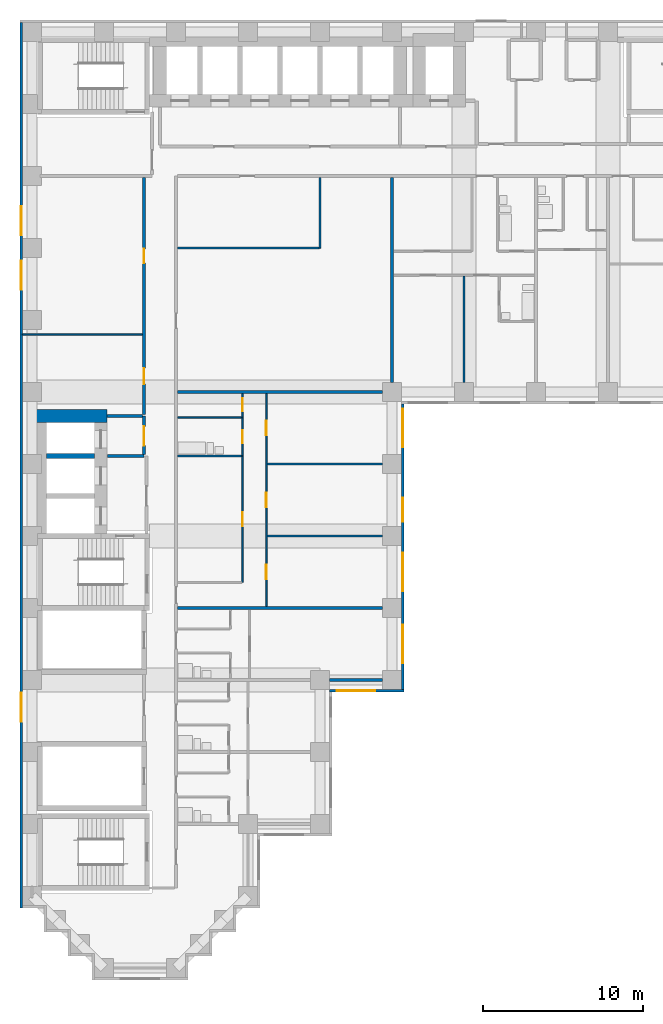
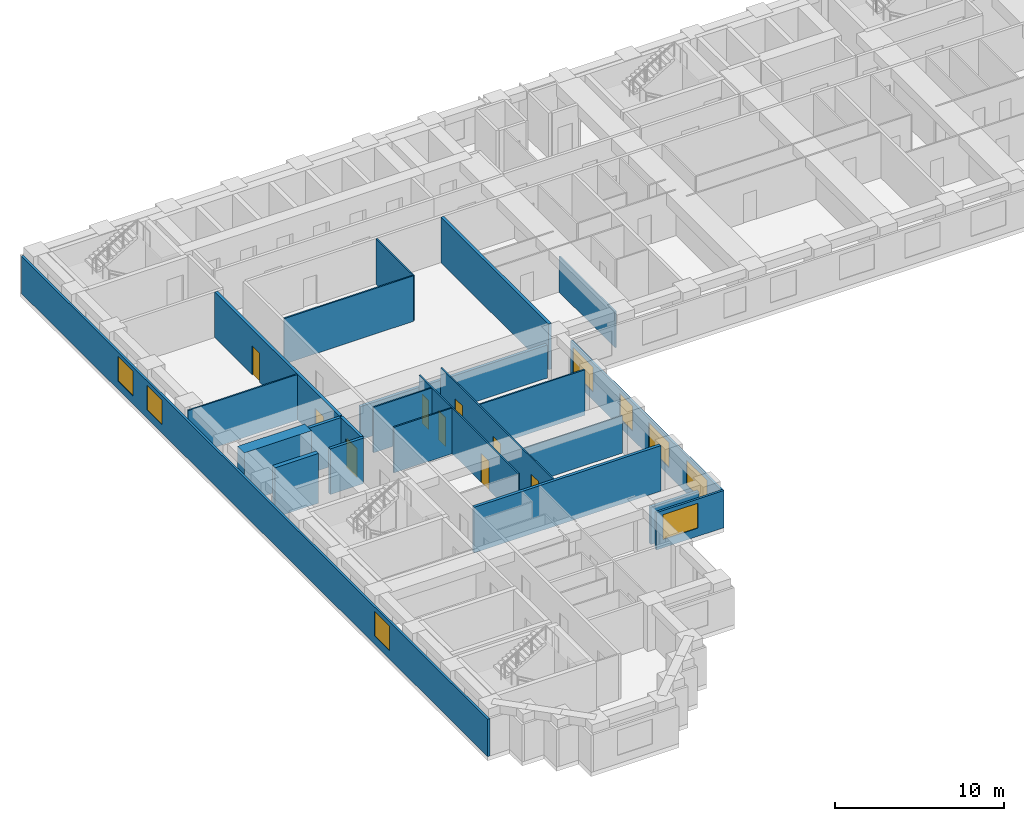
# One storey, part 4 of 11: 23 walls, 9 doors, 8 windows, 17 openings.
"""IFC4 building model written with IfcOpenShell, lengths in metres."""

from ifc_helpers import new_model, si_unit, direction, frame, frame_2d, origin, place, context, subcontext, project, spatial, rectangle, extrude, material, layer, layer_set, type_object, element, fill, save


model = new_model("IFC4")

# Units and contexts
model_context = context("Model", 3, precision=1e-05, world=origin(), true_north=direction((0.0, 1.0)))
body_context = subcontext(model_context, "Body", "Model", "MODEL_VIEW")
ifc_project = project(units=[si_unit("LENGTHUNIT", "METRE"), si_unit("AREAUNIT", "SQUARE_METRE"), si_unit("VOLUMEUNIT", "CUBIC_METRE"), si_unit("PLANEANGLEUNIT", "RADIAN"), si_unit("MASSUNIT", "GRAM", prefix="KILO")], contexts=[model_context])

# Site, building, storey
site_placement = place(None, origin())
site = spatial("IfcSite", under=ifc_project, at=site_placement, CompositionType="ELEMENT")
building_placement = place(site_placement, origin())
building = spatial("IfcBuilding", under=site, at=building_placement, Name="Firuza Court", CompositionType="ELEMENT")
storey_placement = place(building_placement, frame((0.0, 0.0, 75.800048828125)))
storey = spatial("IfcBuildingStorey", under=building, at=storey_placement, Name="L18", CompositionType="ELEMENT", Elevation=75.800048828125)

# Walls
ifc_material_1 = material(Name="Moisture-resistant gypsum board partition")
ifc_layer_1 = layer(ifc_material_1, 0.10009765625)
ifc_layer_set_1 = layer_set([ifc_layer_1], Name="Moisture-resistant gypsum board partition")
wall_type_1 = type_object("IfcWallType", Name="Bathroom partition 100", PredefinedType="PLUMBINGWALL", material=ifc_layer_set_1)
for number, where, z_axis, x_axis, name in (
    (1, (9.10009765625, 32.0, 0.0), (0.0, 0.0, 1.0), (1.0, 0.0, 0.0), "Bathroom partition 100 L18"),
    (2, (9.10009765625, 34.39990234375, 0.0), (0.0, 0.0, 1.0), (1.0, 0.0, 0.0), "Bathroom partition 100 L18"),
):
    element("IfcWall", number, at=place(storey_placement, frame(where, z_axis=z_axis, x_axis=x_axis)), inside=storey, type_object=wall_type_1, Name=name, PredefinedType="PLUMBINGWALL", context=body_context, shape_type="SweptSolid", body=[
        extrude(rectangle(XDim=4.0, YDim=0.10009765625, at=frame_2d((2.0, 0.0))), origin(), (0.0, 0.0, 1.0), 3.300048828125),
    ])
ifc_material_2 = material(Name="Concrete C60/75", Category="concrete")
ifc_layer_2 = layer(ifc_material_2, 0.300048828125)
ifc_layer_set_2 = layer_set([ifc_layer_2], Name="Concrete C60/75")
wall_type_2 = type_object("IfcWallType", Name="Core wall 300 C60/75", PredefinedType="SHEAR", material=ifc_layer_set_2)
wall_1_placement = place(storey_placement, frame((0.89990234375, 32.0, -0.300048828125), z_axis=(0.0, 0.0, 1.0), x_axis=(1.0, 0.0, 0.0)))
element("IfcWall", 3, at=wall_1_placement, inside=storey, type_object=wall_type_2, Name="Core wall lift shaft L18", PredefinedType="SHEAR", context=body_context, shape_type="SweptSolid", body=[
    extrude(rectangle(XDim=3.0, YDim=0.300048828125, at=frame_2d((1.5, 0.0))), origin(), (0.0, 0.0, 1.0), 3.60009765625),
])
ifc_layer_3 = layer(ifc_material_2, 0.800048828125)
ifc_layer_set_3 = layer_set([ifc_layer_3], Name="Concrete C60/75")
wall_type_3 = type_object("IfcWallType", Name="Core wall 800 C60/75", PredefinedType="SHEAR", material=ifc_layer_set_3)
wall_2_placement = place(storey_placement, frame((0.10009765625, 34.5, -0.300048828125), z_axis=(0.0, 0.0, 1.0), x_axis=(1.0, 0.0, 0.0)))
element("IfcWall", 4, at=wall_2_placement, inside=storey, type_object=wall_type_3, Name="Core wall lift shaft L18", PredefinedType="SHEAR", context=body_context, shape_type="SweptSolid", body=[
    extrude(rectangle(XDim=4.599853515625, YDim=0.800048828125, at=frame_2d((2.2998046875, 0.0))), origin(), (0.0, 0.0, 1.0), 3.60009765625),
])

# Wall, openings, doors
ifc_material_3 = material(Name="Blockwork, plastered both sides", Category="masonry")
ifc_layer_4 = layer(ifc_material_3, 0.199951171875)
ifc_layer_set_4 = layer_set([ifc_layer_4], Name="Blockwork, plastered both sides")
wall_type_4 = type_object("IfcWallType", Name="Corridor wall 200", PredefinedType="PARTITIONING", material=ifc_layer_set_4)
wall_3_placement = place(storey_placement, frame((7.0, 34.60009765625, 0.0), z_axis=(0.0, 0.0, 1.0), x_axis=(0.0, 1.0, 0.0)))
wall_3 = element("IfcWall", 5, at=wall_3_placement, inside=storey, type_object=wall_type_4, Name="Corridor wall 200 L18", PredefinedType="PARTITIONING", context=body_context, shape_type="SweptSolid", body=[
    extrude(rectangle(XDim=14.7998046875, YDim=0.199951171875, at=frame_2d((7.39990234375, 0.0))), origin(), (0.0, 0.0, 1.0), 3.300048828125),
])
opening_1_placement = place(wall_3_placement, frame((1.89990234375, 0.0, 0.0)))
opening_1 = element("IfcOpeningElement", 6, at=opening_1_placement, cuts=wall_3, Name="Opening D18041", PredefinedType="OPENING", context=body_context, shape_type="SweptSolid", body=[
    extrude(rectangle(XDim=1.0, YDim=2.10009765625, at=frame_2d((0.5, 1.050048828125))), frame((0.0, 0.11181640625, 0.0), z_axis=(0.0, -1.0, 0.0), x_axis=(1.0, 0.0, 0.0)), (0.0, 0.0, 1.0), 0.223876953125),
])
opening_2_placement = place(wall_3_placement, frame((9.449951171875, 0.0, 0.0)))
opening_2 = element("IfcOpeningElement", 7, at=opening_2_placement, cuts=wall_3, Name="Opening D18042", PredefinedType="OPENING", context=body_context, shape_type="SweptSolid", body=[
    extrude(rectangle(XDim=0.89990234375, YDim=2.10009765625, at=frame_2d((0.449951171875, 1.050048828125))), frame((0.0, 0.11181640625, 0.0), z_axis=(0.0, -1.0, 0.0), x_axis=(1.0, 0.0, 0.0)), (0.0, 0.0, 1.0), 0.223876953125),
])
ifc_material_4 = material(Name="Timber door leaf in hardwood frame", Category="wood")
door_type_1 = type_object("IfcDoorType", Name="Room door 900 EI 30", OperationType="SINGLE_SWING_LEFT", PredefinedType="DOOR", material=ifc_material_4)
door_1_placement = place(opening_2_placement, origin())
door_1 = element("IfcDoor", 8, at=door_1_placement, inside=storey, type_object=door_type_1, Name="Residents' workroom door", OperationType="SINGLE_SWING_RIGHT", OverallHeight=2.10009765625, OverallWidth=0.89990234375, PredefinedType="DOOR", context=body_context, shape_type="SweptSolid", body=[
    extrude(rectangle(XDim=0.89990234375, YDim=2.10009765625, at=frame_2d((0.449951171875, 1.050048828125))), frame((0.0, 0.02490234375, 0.0), z_axis=(0.0, -1.0, 0.0), x_axis=(1.0, 0.0, 0.0)), (0.0, 0.0, 1.0), 0.050048828125),
])
fill(opening_2, door_1)
ifc_material_5 = material(Name="Timber door leaf in hardwood frame", Category="wood")
door_type_2 = type_object("IfcDoorType", Name="Store door 1000", OperationType="SINGLE_SWING_LEFT", PredefinedType="DOOR", material=ifc_material_5)
door_2_placement = place(opening_1_placement, origin())
door_2 = element("IfcDoor", 9, at=door_2_placement, inside=storey, type_object=door_type_2, Name="Valet store door", OperationType="SINGLE_SWING_LEFT", OverallHeight=2.10009765625, OverallWidth=1.0, PredefinedType="DOOR", context=body_context, shape_type="SweptSolid", body=[
    extrude(rectangle(XDim=1.0, YDim=2.10009765625, at=frame_2d((0.5, 1.050048828125))), frame((0.0, 0.02490234375, 0.0), z_axis=(0.0, -1.0, 0.0), x_axis=(1.0, 0.0, 0.0)), (0.0, 0.0, 1.0), 0.050048828125),
])
fill(opening_1, door_2)

ifc_material_6 = material(Name="Timber stud partition, plasterboard both sides", Category="wood")
ifc_layer_5 = layer(ifc_material_6, 0.10009765625)
ifc_layer_set_5 = layer_set([ifc_layer_5], Name="Timber stud partition, plasterboard both sides")
wall_type_5 = type_object("IfcWallType", Name="Partition wall 100", PredefinedType="PARTITIONING", material=ifc_layer_set_5)
wall_4_placement = place(storey_placement, frame((14.64990234375, 22.60009765625, 0.0), z_axis=(0.0, 0.0, 1.0), x_axis=(0.0, 1.0, 0.0)))
wall_4 = element("IfcWall", 10, at=wall_4_placement, inside=storey, type_object=wall_type_5, Name="Partition wall 100 L18", PredefinedType="PARTITIONING", context=body_context, shape_type="SweptSolid", body=[
    extrude(rectangle(XDim=13.2998046875, YDim=0.10009765625, at=frame_2d((6.64990234375, 0.0))), origin(), (0.0, 0.0, 1.0), 3.300048828125),
])
opening_3_placement = place(wall_4_placement, frame((1.699951171875, 0.0, 0.0)))
opening_3 = element("IfcOpeningElement", 11, at=opening_3_placement, cuts=wall_4, Name="Opening D18035", PredefinedType="OPENING", context=body_context, shape_type="SweptSolid", body=[
    extrude(rectangle(XDim=0.89990234375, YDim=2.10009765625, at=frame_2d((0.449951171875, 1.050048828125))), frame((0.0, 0.06201171875, 0.0), z_axis=(0.0, -1.0, 0.0), x_axis=(1.0, 0.0, 0.0)), (0.0, 0.0, 1.0), 0.1240234375),
])
opening_4_placement = place(wall_4_placement, frame((6.199951171875, 0.0, 0.0)))
opening_4 = element("IfcOpeningElement", 12, at=opening_4_placement, cuts=wall_4, Name="Opening D18036", PredefinedType="OPENING", context=body_context, shape_type="SweptSolid", body=[
    extrude(rectangle(XDim=0.89990234375, YDim=2.10009765625, at=frame_2d((0.449951171875, 1.050048828125))), frame((0.0, 0.06201171875, 0.0), z_axis=(0.0, -1.0, 0.0), x_axis=(1.0, 0.0, 0.0)), (0.0, 0.0, 1.0), 0.1240234375),
])
opening_5_placement = place(wall_4_placement, frame((10.699951171875, 0.0, 0.0)))
opening_5 = element("IfcOpeningElement", 13, at=opening_5_placement, cuts=wall_4, Name="Opening D18037", PredefinedType="OPENING", context=body_context, shape_type="SweptSolid", body=[
    extrude(rectangle(XDim=0.89990234375, YDim=2.10009765625, at=frame_2d((0.449951171875, 1.050048828125))), frame((0.0, 0.06201171875, 0.0), z_axis=(0.0, -1.0, 0.0), x_axis=(1.0, 0.0, 0.0)), (0.0, 0.0, 1.0), 0.1240234375),
])
ifc_material_7 = material(Name="Timber door leaf in hardwood frame", Category="wood")
door_type_3 = type_object("IfcDoorType", Name="Room door 900", OperationType="SINGLE_SWING_LEFT", PredefinedType="DOOR", material=ifc_material_7)
door_3_placement = place(opening_3_placement, frame((0.89990234375, 0.0, 0.0), z_axis=(0.0, 0.0, 1.0), x_axis=(-1.0, 0.0, 0.0)))
door_3 = element("IfcDoor", 14, at=door_3_placement, inside=storey, type_object=door_type_3, Name="Living room door", OperationType="SINGLE_SWING_RIGHT", OverallHeight=2.10009765625, OverallWidth=0.89990234375, PredefinedType="DOOR", context=body_context, shape_type="SweptSolid", body=[
    extrude(rectangle(XDim=0.89990234375, YDim=2.10009765625, at=frame_2d((0.449951171875, 1.050048828125))), frame((0.0, 0.02490234375, 0.0), z_axis=(0.0, -1.0, 0.0), x_axis=(1.0, 0.0, 0.0)), (0.0, 0.0, 1.0), 0.050048828125),
])
fill(opening_3, door_3)
door_4_placement = place(opening_4_placement, frame((0.89990234375, 0.0, 0.0), z_axis=(0.0, 0.0, 1.0), x_axis=(-1.0, 0.0, 0.0)))
door_4 = element("IfcDoor", 15, at=door_4_placement, inside=storey, type_object=door_type_3, Name="Bedroom door", OperationType="SINGLE_SWING_RIGHT", OverallHeight=2.10009765625, OverallWidth=0.89990234375, PredefinedType="DOOR", context=body_context, shape_type="SweptSolid", body=[
    extrude(rectangle(XDim=0.89990234375, YDim=2.10009765625, at=frame_2d((0.449951171875, 1.050048828125))), frame((0.0, 0.02490234375, 0.0), z_axis=(0.0, -1.0, 0.0), x_axis=(1.0, 0.0, 0.0)), (0.0, 0.0, 1.0), 0.050048828125),
])
fill(opening_4, door_4)
door_5_placement = place(opening_5_placement, frame((0.89990234375, 0.0, 0.0), z_axis=(0.0, 0.0, 1.0), x_axis=(-1.0, 0.0, 0.0)))
door_5 = element("IfcDoor", 16, at=door_5_placement, inside=storey, type_object=door_type_3, Name="Bedroom door", OperationType="SINGLE_SWING_RIGHT", OverallHeight=2.10009765625, OverallWidth=0.89990234375, PredefinedType="DOOR", context=body_context, shape_type="SweptSolid", body=[
    extrude(rectangle(XDim=0.89990234375, YDim=2.10009765625, at=frame_2d((0.449951171875, 1.050048828125))), frame((0.0, 0.02490234375, 0.0), z_axis=(0.0, -1.0, 0.0), x_axis=(1.0, 0.0, 0.0)), (0.0, 0.0, 1.0), 0.050048828125),
])
fill(opening_5, door_5)

wall_5_placement = place(storey_placement, frame((13.14990234375, 24.10009765625, 0.0), z_axis=(0.0, 0.0, 1.0), x_axis=(0.0, 1.0, 0.0)))
wall_5 = element("IfcWall", 17, at=wall_5_placement, inside=storey, type_object=wall_type_5, Name="Partition wall 100 L18", PredefinedType="PARTITIONING", context=body_context, shape_type="SweptSolid", body=[
    extrude(rectangle(XDim=11.7998046875, YDim=0.10009765625, at=frame_2d((5.89990234375, 0.0))), origin(), (0.0, 0.0, 1.0), 3.300048828125),
])
opening_6_placement = place(wall_5_placement, frame((8.699951171875, 0.0, 0.0)))
opening_6 = element("IfcOpeningElement", 18, at=opening_6_placement, cuts=wall_5, Name="Opening D18038", PredefinedType="OPENING", context=body_context, shape_type="SweptSolid", body=[
    extrude(rectangle(XDim=0.800048828125, YDim=2.10009765625, at=frame_2d((0.39990234375, 1.050048828125))), frame((0.0, 0.06201171875, 0.0), z_axis=(0.0, -1.0, 0.0), x_axis=(1.0, 0.0, 0.0)), (0.0, 0.0, 1.0), 0.1240234375),
])
opening_7_placement = place(wall_5_placement, frame((3.5, 0.0, 0.0)))
opening_7 = element("IfcOpeningElement", 19, at=opening_7_placement, cuts=wall_5, Name="Opening D18039", PredefinedType="OPENING", context=body_context, shape_type="SweptSolid", body=[
    extrude(rectangle(XDim=0.89990234375, YDim=2.10009765625, at=frame_2d((0.449951171875, 1.050048828125))), frame((0.0, 0.06201171875, 0.0), z_axis=(0.0, -1.0, 0.0), x_axis=(1.0, 0.0, 0.0)), (0.0, 0.0, 1.0), 0.1240234375),
])
opening_8_placement = place(wall_5_placement, frame((10.699951171875, 0.0, 0.0)))
opening_8 = element("IfcOpeningElement", 20, at=opening_8_placement, cuts=wall_5, Name="Opening D18040", PredefinedType="OPENING", context=body_context, shape_type="SweptSolid", body=[
    extrude(rectangle(XDim=0.800048828125, YDim=2.10009765625, at=frame_2d((0.39990234375, 1.050048828125))), frame((0.0, 0.06201171875, 0.0), z_axis=(0.0, -1.0, 0.0), x_axis=(1.0, 0.0, 0.0)), (0.0, 0.0, 1.0), 0.1240234375),
])
ifc_material_8 = material(Name="Timber door leaf in hardwood frame", Category="wood")
door_type_4 = type_object("IfcDoorType", Name="Bathroom door 800", OperationType="SINGLE_SWING_LEFT", PredefinedType="DOOR", material=ifc_material_8)
door_6_placement = place(opening_6_placement, origin())
door_6 = element("IfcDoor", 21, at=door_6_placement, inside=storey, type_object=door_type_4, Name="Bathroom door", OperationType="SINGLE_SWING_LEFT", OverallHeight=2.10009765625, OverallWidth=0.800048828125, PredefinedType="DOOR", context=body_context, shape_type="SweptSolid", body=[
    extrude(rectangle(XDim=0.800048828125, YDim=2.10009765625, at=frame_2d((0.39990234375, 1.050048828125))), frame((0.0, 0.02490234375, 0.0), z_axis=(0.0, -1.0, 0.0), x_axis=(1.0, 0.0, 0.0)), (0.0, 0.0, 1.0), 0.050048828125),
])
fill(opening_6, door_6)
ifc_material_9 = material(Name="Timber door leaf in hardwood frame", Category="wood")
door_type_5 = type_object("IfcDoorType", Name="Room door 800", OperationType="SINGLE_SWING_LEFT", PredefinedType="DOOR", material=ifc_material_9)
door_7_placement = place(opening_8_placement, origin())
door_7 = element("IfcDoor", 22, at=door_7_placement, inside=storey, type_object=door_type_5, Name="Store door", OperationType="SINGLE_SWING_LEFT", OverallHeight=2.10009765625, OverallWidth=0.800048828125, PredefinedType="DOOR", context=body_context, shape_type="SweptSolid", body=[
    extrude(rectangle(XDim=0.800048828125, YDim=2.10009765625, at=frame_2d((0.39990234375, 1.050048828125))), frame((0.0, 0.02490234375, 0.0), z_axis=(0.0, -1.0, 0.0), x_axis=(1.0, 0.0, 0.0)), (0.0, 0.0, 1.0), 0.050048828125),
])
fill(opening_8, door_7)
door_8_placement = place(opening_7_placement, origin())
door_8 = element("IfcDoor", 23, at=door_8_placement, inside=storey, type_object=door_type_3, Name="Kitchen door", OperationType="SINGLE_SWING_LEFT", OverallHeight=2.10009765625, OverallWidth=0.89990234375, PredefinedType="DOOR", context=body_context, shape_type="SweptSolid", body=[
    extrude(rectangle(XDim=0.89990234375, YDim=2.10009765625, at=frame_2d((0.449951171875, 1.050048828125))), frame((0.0, 0.02490234375, 0.0), z_axis=(0.0, -1.0, 0.0), x_axis=(1.0, 0.0, 0.0)), (0.0, 0.0, 1.0), 0.050048828125),
])
fill(opening_7, door_8)

# Walls
wall_6_placement = place(storey_placement, frame((14.699951171875, 27.0, 0.0), z_axis=(0.0, 0.0, 1.0), x_axis=(1.0, 0.0, 0.0)))
element("IfcWall", 24, at=wall_6_placement, inside=storey, type_object=wall_type_5, Name="Partition wall 100 L18", PredefinedType="PARTITIONING", context=body_context, shape_type="SweptSolid", body=[
    extrude(rectangle(XDim=7.199951171875, YDim=0.10009765625, at=frame_2d((3.60009765625, 0.0))), origin(), (0.0, 0.0, 1.0), 2.699951171875),
])
wall_7_placement = place(storey_placement, frame((14.699951171875, 31.5, 0.0), z_axis=(0.0, 0.0, 1.0), x_axis=(1.0, 0.0, 0.0)))
element("IfcWall", 25, at=wall_7_placement, inside=storey, type_object=wall_type_5, Name="Partition wall 100 L18", PredefinedType="PARTITIONING", context=body_context, shape_type="SweptSolid", body=[
    extrude(rectangle(XDim=7.199951171875, YDim=0.10009765625, at=frame_2d((3.60009765625, 0.0))), origin(), (0.0, 0.0, 1.0), 3.300048828125),
])
wall_8_placement = place(storey_placement, frame((27.0, 36.60009765625, 0.0), z_axis=(0.0, 0.0, 1.0), x_axis=(0.0, 1.0, 0.0)))
element("IfcWall", 26, at=wall_8_placement, inside=storey, type_object=wall_type_5, Name="Partition wall 100 L18", PredefinedType="PARTITIONING", context=body_context, shape_type="SweptSolid", body=[
    extrude(rectangle(XDim=6.64990234375, YDim=0.10009765625, at=frame_2d((3.324951171875, 0.0))), origin(), (0.0, 0.0, 1.0), 2.599853515625),
])
wall_9_placement = place(storey_placement, frame((-0.60009765625, 39.60009765625, 0.0), z_axis=(0.0, 0.0, 1.0), x_axis=(1.0, 0.0, 0.0)))
element("IfcWall", 27, at=wall_9_placement, inside=storey, type_object=wall_type_5, Name="Partition wall 100 L18", PredefinedType="PARTITIONING", context=body_context, shape_type="SweptSolid", body=[
    extrude(rectangle(XDim=7.5, YDim=0.10009765625, at=frame_2d((3.75, 0.0))), origin(), (0.0, 0.0, 1.0), 3.300048828125),
])
wall_10_placement = place(storey_placement, frame((9.10009765625, 45.0, 0.0), z_axis=(0.0, 0.0, 1.0), x_axis=(1.0, 0.0, 0.0)))
element("IfcWall", 28, at=wall_10_placement, inside=storey, type_object=wall_type_5, Name="Partition wall 100 L18", PredefinedType="PARTITIONING", context=body_context, shape_type="SweptSolid", body=[
    extrude(rectangle(XDim=8.849853515625, YDim=0.10009765625, at=frame_2d((4.4248046875, 0.0))), origin(), (0.0, 0.0, 1.0), 3.300048828125),
])
wall_11_placement = place(storey_placement, frame((18.0, 45.0, 0.0), z_axis=(0.0, 0.0, 1.0), x_axis=(0.0, 1.0, 0.0)))
element("IfcWall", 29, at=wall_11_placement, inside=storey, type_object=wall_type_5, Name="Partition wall 100 L18", PredefinedType="PARTITIONING", context=body_context, shape_type="SweptSolid", body=[
    extrude(rectangle(XDim=4.39990234375, YDim=0.10009765625, at=frame_2d((2.199951171875, 0.0))), origin(), (0.0, 0.0, 1.0), 3.300048828125),
])
ifc_layer_6 = layer(ifc_material_3, 0.199951171875)
ifc_layer_set_6 = layer_set([ifc_layer_6], Name="Blockwork, plastered both sides")
wall_type_6 = type_object("IfcWallType", Name="Party wall 200", PredefinedType="PARTITIONING", material=ifc_layer_set_6)
wall_12_placement = place(storey_placement, frame((18.60009765625, 18.0, 0.0), z_axis=(0.0, 0.0, 1.0), x_axis=(1.0, 0.0, 0.0)))
element("IfcWall", 30, at=wall_12_placement, inside=storey, type_object=wall_type_6, Name="Party wall 200 L18", PredefinedType="PARTITIONING", context=body_context, shape_type="SweptSolid", body=[
    extrude(rectangle(XDim=3.2998046875, YDim=0.199951171875, at=frame_2d((1.64990234375, 0.0))), origin(), (0.0, 0.0, 1.0), 2.699951171875),
])
wall_13_placement = place(storey_placement, frame((9.10009765625, 22.5, 0.0), z_axis=(0.0, 0.0, 1.0), x_axis=(1.0, 0.0, 0.0)))
element("IfcWall", 31, at=wall_13_placement, inside=storey, type_object=wall_type_6, Name="Party wall 200 L18", PredefinedType="PARTITIONING", context=body_context, shape_type="SweptSolid", body=[
    extrude(rectangle(XDim=12.7998046875, YDim=0.199951171875, at=frame_2d((6.39990234375, 0.0))), origin(), (0.0, 0.0, 1.0), 3.300048828125),
])
wall_14_placement = place(storey_placement, frame((9.10009765625, 36.0, 0.0), z_axis=(0.0, 0.0, 1.0), x_axis=(1.0, 0.0, 0.0)))
element("IfcWall", 32, at=wall_14_placement, inside=storey, type_object=wall_type_6, Name="Party wall 200 L18", PredefinedType="PARTITIONING", context=body_context, shape_type="SweptSolid", body=[
    extrude(rectangle(XDim=12.7998046875, YDim=0.199951171875, at=frame_2d((6.39990234375, 0.0))), origin(), (0.0, 0.0, 1.0), 2.39990234375),
])
wall_15_placement = place(storey_placement, frame((22.5, 36.60009765625, 0.0), z_axis=(0.0, 0.0, 1.0), x_axis=(0.0, 1.0, 0.0)))
element("IfcWall", 33, at=wall_15_placement, inside=storey, type_object=wall_type_6, Name="Party wall 200 L18", PredefinedType="PARTITIONING", context=body_context, shape_type="SweptSolid", body=[
    extrude(rectangle(XDim=12.7998046875, YDim=0.199951171875, at=frame_2d((6.39990234375, 0.0))), origin(), (0.0, 0.0, 1.0), 3.300048828125),
])

# Wall, opening, window
ifc_material_10 = material(Name="Ceramic tile", Category="ceramic")
ifc_layer_7 = layer(ifc_material_10, 0.02001953125)
ifc_material_11 = material(Name="Mineral wool insulation", Category="insulation")
ifc_layer_8 = layer(ifc_material_11, 0.050048828125)
ifc_material_12 = material(Name="Concrete C40/50 precast", Category="concrete")
ifc_layer_9 = layer(ifc_material_12, 0.080078125)
ifc_layer_set_7 = layer_set([ifc_layer_7, ifc_layer_8, ifc_layer_9], Name="Concrete C40/50 precast")
wall_type_7 = type_object("IfcWallType", Name="Precast cladding wall with turquoise TILE PANEL face 150", PredefinedType="STANDARD", material=ifc_layer_set_7)
wall_16_placement = place(storey_placement, frame((18.60009765625, 17.324951171875, 0.0), z_axis=(0.0, 0.0, 1.0), x_axis=(1.0, 0.0, 0.0)))
wall_16 = element("IfcWall", 34, at=wall_16_placement, inside=storey, type_object=wall_type_7, Name="Facade wall L18 S", PredefinedType="STANDARD", context=body_context, shape_type="SweptSolid", body=[
    extrude(rectangle(XDim=4.64990234375, YDim=0.14990234375, at=frame_2d((2.324951171875, 0.0))), origin(), (0.0, 0.0, 1.0), 2.699951171875),
])
opening_9_placement = place(wall_16_placement, frame((0.449951171875, 0.0, 0.60009765625)))
opening_9 = element("IfcOpeningElement", 35, at=opening_9_placement, cuts=wall_16, Name="Opening W1", PredefinedType="OPENING", context=body_context, shape_type="SweptSolid", body=[
    extrude(rectangle(XDim=2.39990234375, YDim=1.800048828125, at=frame_2d((1.199951171875, 0.89990234375))), frame((0.0, 0.0869140625, 0.0), z_axis=(0.0, -1.0, 0.0), x_axis=(1.0, 0.0, 0.0)), (0.0, 0.0, 1.0), 0.173828125),
])
ifc_material_13 = material(Name="Aluminium frame, triple clear glazing", Category="aluminium")
window_type_1 = type_object("IfcWindowType", Name="Window W1 2400 x 1800", PartitioningType="SINGLE_PANEL", PredefinedType="WINDOW", material=ifc_material_13)
window_1_placement = place(opening_9_placement, origin())
window_1 = element("IfcWindow", 36, at=window_1_placement, inside=storey, type_object=window_type_1, Name="Window L18", OverallHeight=1.800048828125, OverallWidth=2.39990234375, PartitioningType="SINGLE_PANEL", PredefinedType="WINDOW", context=body_context, shape_type="SweptSolid", body=[
    extrude(rectangle(XDim=2.39990234375, YDim=1.800048828125, at=frame_2d((1.199951171875, 0.89990234375))), frame((0.0, 0.030029296875, 0.0), z_axis=(0.0, -1.0, 0.0), x_axis=(1.0, 0.0, 0.0)), (0.0, 0.0, 1.0), 0.06005859375),
])
fill(opening_9, window_1)

# Wall, openings, windows
wall_17_placement = place(storey_placement, frame((23.175048828125, 17.39990234375, 0.0), z_axis=(0.0, 0.0, 1.0), x_axis=(0.0, 1.0, 0.0)))
wall_17 = element("IfcWall", 37, at=wall_17_placement, inside=storey, type_object=wall_type_7, Name="Facade wall L18 E", PredefinedType="STANDARD", context=body_context, shape_type="SweptSolid", body=[
    extrude(rectangle(XDim=17.85009765625, YDim=0.14990234375, at=frame_2d((8.925048828125, 0.0))), origin(), (0.0, 0.0, 1.0), 2.699951171875),
])
opening_10_placement = place(wall_17_placement, frame((1.64990234375, 0.0, 0.60009765625)))
opening_10 = element("IfcOpeningElement", 38, at=opening_10_placement, cuts=wall_17, Name="Opening W1", PredefinedType="OPENING", context=body_context, shape_type="SweptSolid", body=[
    extrude(rectangle(XDim=2.39990234375, YDim=1.800048828125, at=frame_2d((1.199951171875, 0.89990234375))), frame((0.0, 0.0869140625, 0.0), z_axis=(0.0, -1.0, 0.0), x_axis=(1.0, 0.0, 0.0)), (0.0, 0.0, 1.0), 0.173828125),
])
opening_11_placement = place(wall_17_placement, frame((6.14990234375, 0.0, 0.60009765625)))
opening_11 = element("IfcOpeningElement", 39, at=opening_11_placement, cuts=wall_17, Name="Opening W1", PredefinedType="OPENING", context=body_context, shape_type="SweptSolid", body=[
    extrude(rectangle(XDim=2.39990234375, YDim=1.800048828125, at=frame_2d((1.199951171875, 0.89990234375))), frame((0.0, 0.0869140625, 0.0), z_axis=(0.0, -1.0, 0.0), x_axis=(1.0, 0.0, 0.0)), (0.0, 0.0, 1.0), 0.173828125),
])
opening_12_placement = place(wall_17_placement, frame((10.482666015625, 0.0, 0.60009765625)))
opening_12 = element("IfcOpeningElement", 40, at=opening_12_placement, cuts=wall_17, Name="Opening W2", PredefinedType="OPENING", context=body_context, shape_type="SweptSolid", body=[
    extrude(rectangle(XDim=1.5, YDim=1.800048828125, at=frame_2d((0.75, 0.89990234375))), frame((0.0, 0.0869140625, 0.0), z_axis=(0.0, -1.0, 0.0), x_axis=(1.0, 0.0, 0.0)), (0.0, 0.0, 1.0), 0.173828125),
])
opening_13_placement = place(wall_17_placement, frame((15.14990234375, 0.0, 0.60009765625)))
opening_13 = element("IfcOpeningElement", 41, at=opening_13_placement, cuts=wall_17, Name="Opening W1", PredefinedType="OPENING", context=body_context, shape_type="SweptSolid", body=[
    extrude(rectangle(XDim=2.39990234375, YDim=1.800048828125, at=frame_2d((1.199951171875, 0.89990234375))), frame((0.0, 0.0869140625, 0.0), z_axis=(0.0, -1.0, 0.0), x_axis=(1.0, 0.0, 0.0)), (0.0, 0.0, 1.0), 0.173828125),
])
window_2_placement = place(opening_10_placement, origin())
window_2 = element("IfcWindow", 42, at=window_2_placement, inside=storey, type_object=window_type_1, Name="Window L18", OverallHeight=1.800048828125, OverallWidth=2.39990234375, PartitioningType="SINGLE_PANEL", PredefinedType="WINDOW", context=body_context, shape_type="SweptSolid", body=[
    extrude(rectangle(XDim=2.39990234375, YDim=1.800048828125, at=frame_2d((1.199951171875, 0.89990234375))), frame((0.0, 0.030029296875, 0.0), z_axis=(0.0, -1.0, 0.0), x_axis=(1.0, 0.0, 0.0)), (0.0, 0.0, 1.0), 0.06005859375),
])
fill(opening_10, window_2)
window_3_placement = place(opening_11_placement, origin())
window_3 = element("IfcWindow", 43, at=window_3_placement, inside=storey, type_object=window_type_1, Name="Window L18", OverallHeight=1.800048828125, OverallWidth=2.39990234375, PartitioningType="SINGLE_PANEL", PredefinedType="WINDOW", context=body_context, shape_type="SweptSolid", body=[
    extrude(rectangle(XDim=2.39990234375, YDim=1.800048828125, at=frame_2d((1.199951171875, 0.89990234375))), frame((0.0, 0.030029296875, 0.0), z_axis=(0.0, -1.0, 0.0), x_axis=(1.0, 0.0, 0.0)), (0.0, 0.0, 1.0), 0.06005859375),
])
fill(opening_11, window_3)
window_4_placement = place(opening_13_placement, origin())
window_4 = element("IfcWindow", 44, at=window_4_placement, inside=storey, type_object=window_type_1, Name="Window L18", OverallHeight=1.800048828125, OverallWidth=2.39990234375, PartitioningType="SINGLE_PANEL", PredefinedType="WINDOW", context=body_context, shape_type="SweptSolid", body=[
    extrude(rectangle(XDim=2.39990234375, YDim=1.800048828125, at=frame_2d((1.199951171875, 0.89990234375))), frame((0.0, 0.030029296875, 0.0), z_axis=(0.0, -1.0, 0.0), x_axis=(1.0, 0.0, 0.0)), (0.0, 0.0, 1.0), 0.06005859375),
])
fill(opening_13, window_4)
ifc_material_14 = material(Name="Aluminium frame, triple clear glazing", Category="aluminium")
window_type_2 = type_object("IfcWindowType", Name="Window W2 1500 x 1800", PartitioningType="SINGLE_PANEL", PredefinedType="WINDOW", material=ifc_material_14)
window_5_placement = place(opening_12_placement, origin())
window_5 = element("IfcWindow", 45, at=window_5_placement, inside=storey, type_object=window_type_2, Name="Window L18", OverallHeight=1.800048828125, OverallWidth=1.5, PartitioningType="SINGLE_PANEL", PredefinedType="WINDOW", context=body_context, shape_type="SweptSolid", body=[
    extrude(rectangle(XDim=1.5, YDim=1.800048828125, at=frame_2d((0.75, 0.89990234375))), frame((0.0, 0.030029296875, 0.0), z_axis=(0.0, -1.0, 0.0), x_axis=(1.0, 0.0, 0.0)), (0.0, 0.0, 1.0), 0.06005859375),
])
fill(opening_12, window_5)

wall_18_placement = place(storey_placement, frame((-0.675048828125, 59.10009765625, 0.0), z_axis=(0.0, 0.0, 1.0), x_axis=(0.0, -1.0, 0.0)))
wall_18 = element("IfcWall", 46, at=wall_18_placement, inside=storey, type_object=wall_type_7, Name="Facade wall L18 W", PredefinedType="STANDARD", context=body_context, shape_type="SweptSolid", body=[
    extrude(rectangle(XDim=55.35009765625, YDim=0.14990234375, at=frame_2d((27.675048828125, 0.0))), origin(), (0.0, 0.0, 1.0), 2.699951171875),
])
opening_14_placement = place(wall_18_placement, frame((11.490478515625, 0.0, 0.60009765625)))
opening_14 = element("IfcOpeningElement", 47, at=opening_14_placement, cuts=wall_18, Name="Opening W7", PredefinedType="OPENING", context=body_context, shape_type="SweptSolid", body=[
    extrude(rectangle(XDim=1.800048828125, YDim=1.800048828125, at=frame_2d((0.89990234375, 0.89990234375))), frame((0.0, 0.0869140625, 0.0), z_axis=(0.0, -1.0, 0.0), x_axis=(1.0, 0.0, 0.0)), (0.0, 0.0, 1.0), 0.173828125),
])
opening_15_placement = place(wall_18_placement, frame((14.90966796875, 0.0, 0.60009765625)))
opening_15 = element("IfcOpeningElement", 48, at=opening_15_placement, cuts=wall_18, Name="Opening W7", PredefinedType="OPENING", context=body_context, shape_type="SweptSolid", body=[
    extrude(rectangle(XDim=1.800048828125, YDim=1.800048828125, at=frame_2d((0.89990234375, 0.89990234375))), frame((0.0, 0.0869140625, 0.0), z_axis=(0.0, -1.0, 0.0), x_axis=(1.0, 0.0, 0.0)), (0.0, 0.0, 1.0), 0.173828125),
])
opening_16_placement = place(wall_18_placement, frame((41.90966796875, 0.0, 0.60009765625)))
opening_16 = element("IfcOpeningElement", 49, at=opening_16_placement, cuts=wall_18, Name="Opening W7", PredefinedType="OPENING", context=body_context, shape_type="SweptSolid", body=[
    extrude(rectangle(XDim=1.800048828125, YDim=1.800048828125, at=frame_2d((0.89990234375, 0.89990234375))), frame((0.0, 0.0869140625, 0.0), z_axis=(0.0, -1.0, 0.0), x_axis=(1.0, 0.0, 0.0)), (0.0, 0.0, 1.0), 0.173828125),
])
ifc_material_15 = material(Name="Aluminium frame, triple clear glazing", Category="aluminium")
window_type_3 = type_object("IfcWindowType", Name="Window W7 1800 x 1800", PartitioningType="SINGLE_PANEL", PredefinedType="WINDOW", material=ifc_material_15)
window_6_placement = place(opening_14_placement, origin())
window_6 = element("IfcWindow", 50, at=window_6_placement, inside=storey, type_object=window_type_3, Name="Window L18", OverallHeight=1.800048828125, OverallWidth=1.800048828125, PartitioningType="SINGLE_PANEL", PredefinedType="WINDOW", context=body_context, shape_type="SweptSolid", body=[
    extrude(rectangle(XDim=1.800048828125, YDim=1.800048828125, at=frame_2d((0.89990234375, 0.89990234375))), frame((0.0, 0.030029296875, 0.0), z_axis=(0.0, -1.0, 0.0), x_axis=(1.0, 0.0, 0.0)), (0.0, 0.0, 1.0), 0.06005859375),
])
fill(opening_14, window_6)
window_7_placement = place(opening_15_placement, origin())
window_7 = element("IfcWindow", 51, at=window_7_placement, inside=storey, type_object=window_type_3, Name="Window L18", OverallHeight=1.800048828125, OverallWidth=1.800048828125, PartitioningType="SINGLE_PANEL", PredefinedType="WINDOW", context=body_context, shape_type="SweptSolid", body=[
    extrude(rectangle(XDim=1.800048828125, YDim=1.800048828125, at=frame_2d((0.89990234375, 0.89990234375))), frame((0.0, 0.030029296875, 0.0), z_axis=(0.0, -1.0, 0.0), x_axis=(1.0, 0.0, 0.0)), (0.0, 0.0, 1.0), 0.06005859375),
])
fill(opening_15, window_7)
window_8_placement = place(opening_16_placement, origin())
window_8 = element("IfcWindow", 52, at=window_8_placement, inside=storey, type_object=window_type_3, Name="Window L18", OverallHeight=1.800048828125, OverallWidth=1.800048828125, PartitioningType="SINGLE_PANEL", PredefinedType="WINDOW", context=body_context, shape_type="SweptSolid", body=[
    extrude(rectangle(XDim=1.800048828125, YDim=1.800048828125, at=frame_2d((0.89990234375, 0.89990234375))), frame((0.0, 0.030029296875, 0.0), z_axis=(0.0, -1.0, 0.0), x_axis=(1.0, 0.0, 0.0)), (0.0, 0.0, 1.0), 0.06005859375),
])
fill(opening_16, window_8)

# Wall
ifc_material_16 = material(Name="Blockwork, fire-rated", Category="masonry")
ifc_layer_10 = layer(ifc_material_16, 0.199951171875)
ifc_layer_set_8 = layer_set([ifc_layer_10], Name="Blockwork, fire-rated")
wall_type_8 = type_object("IfcWallType", Name="Shaft wall 200", PredefinedType="PARTITIONING", material=ifc_layer_set_8)
wall_19_placement = place(storey_placement, frame((4.719970703125, 32.0, 0.0), z_axis=(0.0, 0.0, 1.0), x_axis=(1.0, 0.0, 0.0)))
element("IfcWall", 53, at=wall_19_placement, inside=storey, type_object=wall_type_8, Name="Shaft wall 200 L18", PredefinedType="PARTITIONING", context=body_context, shape_type="SweptSolid", body=[
    extrude(rectangle(XDim=2.280029296875, YDim=0.199951171875, at=frame_2d((1.14013671875, 0.0))), origin(), (0.0, 0.0, 1.0), 3.300048828125),
])

# Wall, opening, door
wall_20_placement = place(storey_placement, frame((7.0, 32.10009765625, 0.0), z_axis=(0.0, 0.0, 1.0), x_axis=(0.0, 1.0, 0.0)))
wall_20 = element("IfcWall", 54, at=wall_20_placement, inside=storey, type_object=wall_type_8, Name="Shaft wall 200 L18", PredefinedType="PARTITIONING", context=body_context, shape_type="SweptSolid", body=[
    extrude(rectangle(XDim=2.39990234375, YDim=0.199951171875, at=frame_2d((1.199951171875, 0.0))), origin(), (0.0, 0.0, 1.0), 3.300048828125),
])
opening_17_placement = place(wall_20_placement, frame((0.550048828125, 0.0, 0.0)))
opening_17 = element("IfcOpeningElement", 55, at=opening_17_placement, cuts=wall_20, Name="Opening D18008", PredefinedType="OPENING", context=body_context, shape_type="SweptSolid", body=[
    extrude(rectangle(XDim=1.199951171875, YDim=2.10009765625, at=frame_2d((0.60009765625, 1.050048828125))), frame((0.0, 0.11181640625, 0.0), z_axis=(0.0, -1.0, 0.0), x_axis=(1.0, 0.0, 0.0)), (0.0, 0.0, 1.0), 0.223876953125),
])
ifc_material_17 = material(Name="Timber door leaf in hardwood frame", Category="wood")
door_type_6 = type_object("IfcDoorType", Name="Lobby door 1200", OperationType="SINGLE_SWING_LEFT", PredefinedType="DOOR", material=ifc_material_17)
door_9_placement = place(opening_17_placement, origin())
door_9 = element("IfcDoor", 56, at=door_9_placement, inside=storey, type_object=door_type_6, Name="Lobby door", OperationType="SINGLE_SWING_LEFT", OverallHeight=2.10009765625, OverallWidth=1.199951171875, PredefinedType="DOOR", context=body_context, shape_type="SweptSolid", body=[
    extrude(rectangle(XDim=1.199951171875, YDim=2.10009765625, at=frame_2d((0.60009765625, 1.050048828125))), frame((0.0, 0.02490234375, 0.0), z_axis=(0.0, -1.0, 0.0), x_axis=(1.0, 0.0, 0.0)), (0.0, 0.0, 1.0), 0.050048828125),
])
fill(opening_17, door_9)

# Wall
wall_21_placement = place(storey_placement, frame((4.699951171875, 34.5, 0.0), z_axis=(0.0, 0.0, 1.0), x_axis=(1.0, 0.0, 0.0)))
element("IfcWall", 57, at=wall_21_placement, inside=storey, type_object=wall_type_8, Name="Shaft wall 200 L18", PredefinedType="PARTITIONING", context=body_context, shape_type="SweptSolid", body=[
    extrude(rectangle(XDim=2.199951171875, YDim=0.199951171875, at=frame_2d((1.10009765625, 0.0))), origin(), (0.0, 0.0, 1.0), 3.300048828125),
])

save(model, "model.ifc")
